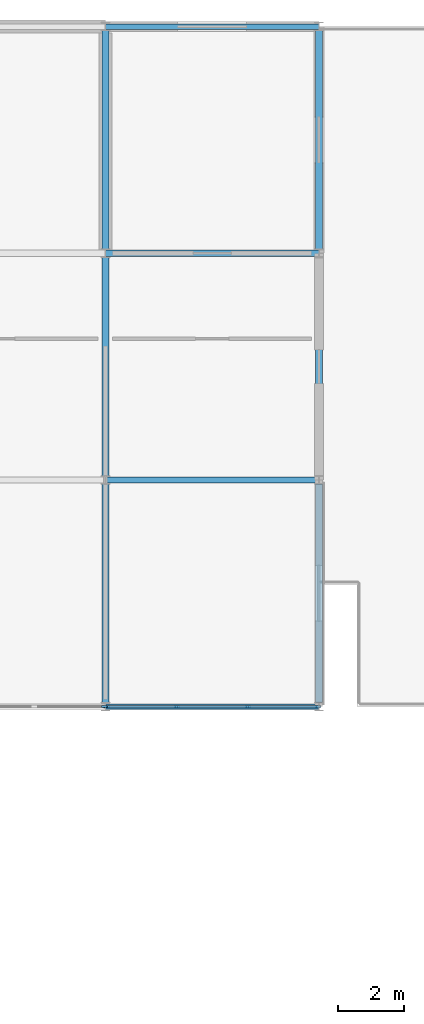
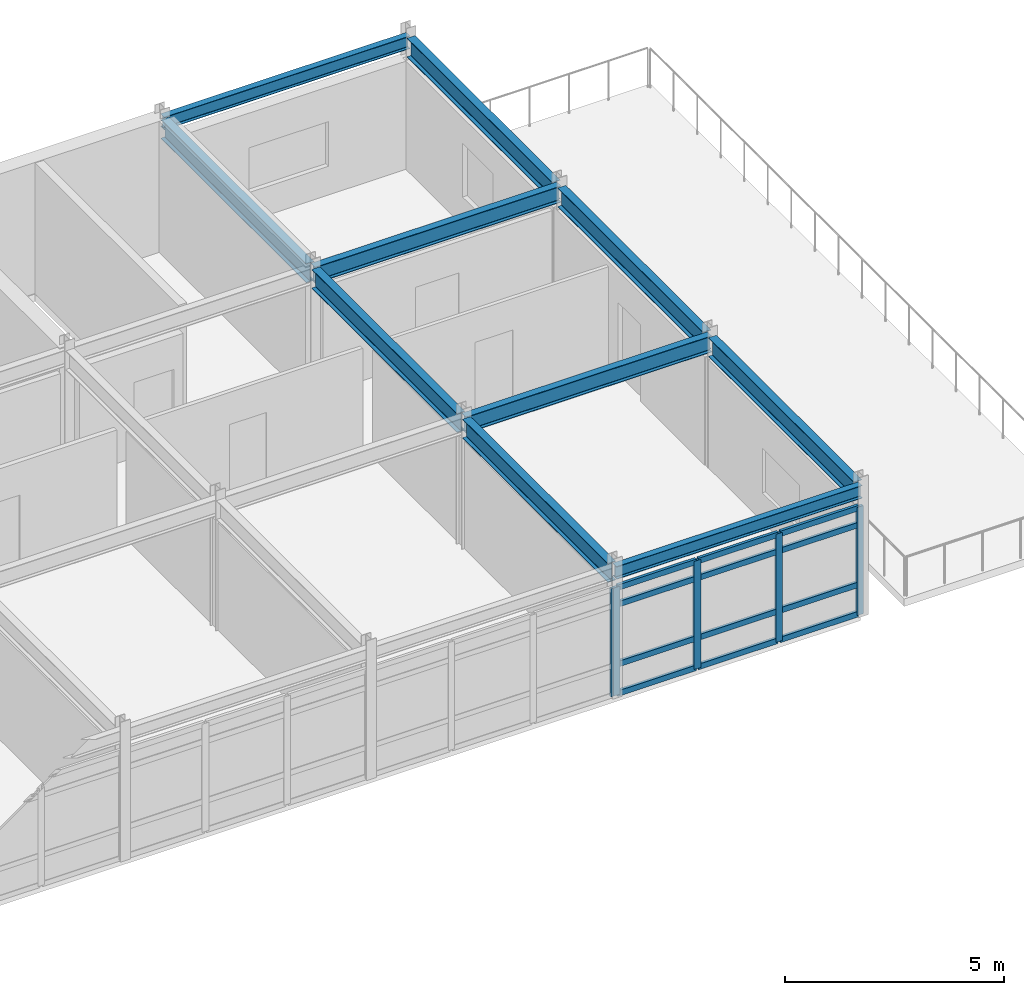
# One storey, part 31 of 57: 17 members, 10 beams, 2 elements without a shape of their own.
"""IFC4 building model written with IfcOpenShell, lengths in metres."""

from ifc_helpers import new_model, si_unit, direction, frame, origin, origin_2d, place, context, subcontext, project, spatial, rectangle, i_section, extrude, material, layer, layer_set, material_profile, profile_set, type_object, element, aggregate, save


model = new_model("IFC4")

# Units and contexts
model_context = context("Model", 3, precision=1e-05, world=origin(), true_north=direction((0.0, 1.0)))
body_context = subcontext(model_context, "Body", "Model", "MODEL_VIEW")
ifc_project = project(units=[si_unit("LENGTHUNIT", "METRE"), si_unit("AREAUNIT", "SQUARE_METRE"), si_unit("VOLUMEUNIT", "CUBIC_METRE"), si_unit("PLANEANGLEUNIT", "RADIAN"), si_unit("MASSUNIT", "GRAM", prefix="KILO")], contexts=[model_context])

# Site, building, storey
site_placement = place(None, origin())
site = spatial("IfcSite", under=ifc_project, at=site_placement, CompositionType="ELEMENT")
building_placement = place(site_placement, origin())
building = spatial("IfcBuilding", under=site, at=building_placement, Name="Trelmorton Wharf Fire Station", CompositionType="ELEMENT")
storey_placement = place(building_placement, frame((0.0, 0.0, 13.5)))
storey = spatial("IfcBuildingStorey", under=building, at=storey_placement, Name="L03", CompositionType="ELEMENT", Elevation=13.5)

# Beams
ifc_material_1 = material(Name="Steel Grade 350", Category="steel")
ifc_material_profile_1 = material_profile(ifc_material_1, i_section(OverallWidth=0.18994140625, OverallDepth=0.45703125, WebThickness=0.009033203125, FlangeThickness=0.014404296875, FilletRadius=0.011474609375, at=origin_2d()), Name="460UB74.6")
ifc_profile_set_1 = profile_set([ifc_material_profile_1], Name="Steel Grade 350")
beam_type_1 = type_object("IfcBeamType", Name="BM_460UB75", PredefinedType="BEAM", material=ifc_profile_set_1)
for number, where, z_axis, x_axis, name in (
    (1, (149.50390625, 67.199951171875, 3.401611328125), (1.0, 0.0, 0.0), (0.0, 1.0, 0.0), "BM-L03-0941"),
    (2, (149.50390625, 74.10009765625, 3.401611328125), (1.0, 0.0, 0.0), (0.0, 1.0, 0.0), "BM-L03-0952"),
):
    element("IfcBeam", number, at=place(storey_placement, frame(where, z_axis=z_axis, x_axis=x_axis)), inside=storey, type_object=beam_type_1, Name=name, PredefinedType="BEAM", context=body_context, shape_type="SweptSolid", body=[
        extrude(i_section(OverallWidth=0.18994140625, OverallDepth=0.45703125, WebThickness=0.009033203125, FlangeThickness=0.014404296875, FilletRadius=0.011474609375, at=origin_2d()), origin(), (0.0, 0.0, 1.0), 6.4921875),
    ])
ifc_material_profile_2 = material_profile(ifc_material_1, i_section(OverallWidth=0.208984375, OverallDepth=0.532958984375, WebThickness=0.01025390625, FlangeThickness=0.015625, FilletRadius=0.013916015625, at=origin_2d()), Name="530UB92.4")
ifc_profile_set_2 = profile_set([ifc_material_profile_2], Name="Steel Grade 350")
beam_type_2 = type_object("IfcBeamType", Name="BM_530UB92", PredefinedType="BEAM", material=ifc_profile_set_2)
beam_1_placement = place(storey_placement, frame((149.5, 60.426025390625, 3.363525390625), z_axis=(0.0, 1.0, 0.0), x_axis=(-1.0, 0.0, 0.0)))
element("IfcBeam", 3, at=beam_1_placement, inside=storey, type_object=beam_type_2, Name="BM-L03-1022", PredefinedType="BEAM", context=body_context, shape_type="SweptSolid", body=[
    extrude(i_section(OverallWidth=0.208984375, OverallDepth=0.532958984375, WebThickness=0.01025390625, FlangeThickness=0.015625, FilletRadius=0.013916015625, at=origin_2d()), origin(), (0.0, 0.0, 1.0), 6.64794921875),
])
beam_2_placement = place(storey_placement, frame((149.5, 67.325927734375, 3.363525390625), z_axis=(0.0, 1.0, 0.0), x_axis=(-1.0, 0.0, 0.0)))
element("IfcBeam", 4, at=beam_2_placement, inside=storey, type_object=beam_type_2, Name="BM-L03-1023", PredefinedType="BEAM", context=body_context, shape_type="SweptSolid", body=[
    extrude(i_section(OverallWidth=0.208984375, OverallDepth=0.532958984375, WebThickness=0.01025390625, FlangeThickness=0.015625, FilletRadius=0.013916015625, at=origin_2d()), origin(), (0.0, 0.0, 1.0), 6.648193359375),
])
for number, where, z_axis, x_axis, name in (
    (5, (149.5, 74.22607421875, 3.363525390625), (0.0, 1.0, 0.0), (-1.0, 0.0, 0.0), "BM-L03-1024"),
    (6, (156.0, 60.426025390625, 3.363525390625), (0.0, 1.0, 0.0), (-1.0, 0.0, 0.0), "BM-L03-1028"),
):
    element("IfcBeam", number, at=place(storey_placement, frame(where, z_axis=z_axis, x_axis=x_axis)), inside=storey, type_object=beam_type_2, Name=name, PredefinedType="BEAM", context=body_context, shape_type="SweptSolid", body=[
        extrude(i_section(OverallWidth=0.208984375, OverallDepth=0.532958984375, WebThickness=0.01025390625, FlangeThickness=0.015625, FilletRadius=0.013916015625, at=origin_2d()), origin(), (0.0, 0.0, 1.0), 6.64794921875),
    ])
beam_3_placement = place(storey_placement, frame((156.0, 67.325927734375, 3.363525390625), z_axis=(0.0, 1.0, 0.0), x_axis=(-1.0, 0.0, 0.0)))
element("IfcBeam", 7, at=beam_3_placement, inside=storey, type_object=beam_type_2, Name="BM-L03-1029", PredefinedType="BEAM", context=body_context, shape_type="SweptSolid", body=[
    extrude(i_section(OverallWidth=0.208984375, OverallDepth=0.532958984375, WebThickness=0.01025390625, FlangeThickness=0.015625, FilletRadius=0.013916015625, at=origin_2d()), origin(), (0.0, 0.0, 1.0), 6.648193359375),
])
beam_4_placement = place(storey_placement, frame((156.0, 74.22607421875, 3.363525390625), z_axis=(0.0, 1.0, 0.0), x_axis=(-1.0, 0.0, 0.0)))
element("IfcBeam", 8, at=beam_4_placement, inside=storey, type_object=beam_type_2, Name="BM-L03-1030", PredefinedType="BEAM", context=body_context, shape_type="SweptSolid", body=[
    extrude(i_section(OverallWidth=0.208984375, OverallDepth=0.532958984375, WebThickness=0.01025390625, FlangeThickness=0.015625, FilletRadius=0.013916015625, at=origin_2d()), origin(), (0.0, 0.0, 1.0), 6.64794921875),
])

# Curtain wall, member
ifc_material_2 = material(Name="Anodised aluminium AW-6063", Category="aluminium")
ifc_layer = layer(ifc_material_2, 0.175048828125)
ifc_layer_set = layer_set([ifc_layer], Name="Anodised aluminium AW-6063")
curtain_wall_type = type_object("IfcCurtainWallType", Name="CW_CHIC_B", PredefinedType="USERDEFINED", material=ifc_layer_set)
curtain_wall_1_placement = place(storey_placement, origin())
curtain_wall_1 = element("IfcCurtainWall", 9, at=curtain_wall_1_placement, inside=storey, type_object=curtain_wall_type, Name="CW-V4-L03-149", ObjectType="CHICAGO BAY CURTAIN WALL", PredefinedType="USERDEFINED")
ifc_material_profile_3 = material_profile(ifc_material_2, rectangle(XDim=0.06494140625, YDim=0.159912109375, at=origin_2d()), Name="ALU-65x160")
ifc_profile_set_3 = profile_set([ifc_material_profile_3], Name="Anodised aluminium AW-6063")
member_type_1 = type_object("IfcMemberType", Name="CWM_65x160", PredefinedType="MULLION", material=ifc_profile_set_3)
member_1_placement = place(storey_placement, frame((149.465087890625, 60.300048828125, 0.0), z_axis=(0.0, 0.0, 1.0), x_axis=(0.0, -1.0, 0.0)))
member_1 = element("IfcMember", 10, at=member_1_placement, type_object=member_type_1, Name="CW2 mullion 1", PredefinedType="MULLION", context=body_context, shape_type="SweptSolid", body=[
    extrude(rectangle(XDim=0.06494140625, YDim=0.159912109375, at=origin_2d()), origin(), (0.0, 0.0, 1.0), 3.02001953125),
])
aggregate(curtain_wall_1, [member_1])

# Curtain wall, members
curtain_wall_2_placement = place(storey_placement, origin())
curtain_wall_2 = element("IfcCurtainWall", 11, at=curtain_wall_2_placement, inside=storey, type_object=curtain_wall_type, Name="CW-V4-L03-150", ObjectType="CHICAGO BAY CURTAIN WALL", PredefinedType="USERDEFINED")
ifc_material_profile_4 = material_profile(ifc_material_2, rectangle(XDim=0.074951171875, YDim=0.175048828125, at=origin_2d()), Name="ALU-75x175")
ifc_profile_set_4 = profile_set([ifc_material_profile_4], Name="Anodised aluminium AW-6063")
member_type_2 = type_object("IfcMemberType", Name="CWM_75x175", PredefinedType="MULLION", material=ifc_profile_set_4)
member_2_placement = place(storey_placement, frame((155.965087890625, 60.300048828125, 0.0), z_axis=(0.0, 0.0, 1.0), x_axis=(0.0, -1.0, 0.0)))
member_2 = element("IfcMember", 12, at=member_2_placement, type_object=member_type_2, Name="CW2 mullion 1", PredefinedType="MULLION", context=body_context, shape_type="SweptSolid", body=[
    extrude(rectangle(XDim=0.074951171875, YDim=0.175048828125, at=origin_2d()), origin(), (0.0, 0.0, 1.0), 3.02001953125),
])
member_3_placement = place(storey_placement, frame((153.831787109375, 60.300048828125, 0.0), z_axis=(0.0, 0.0, 1.0), x_axis=(0.0, -1.0, 0.0)))
member_3 = element("IfcMember", 13, at=member_3_placement, type_object=member_type_2, Name="CW2 mullion 2", PredefinedType="MULLION", context=body_context, shape_type="SweptSolid", body=[
    extrude(rectangle(XDim=0.074951171875, YDim=0.175048828125, at=origin_2d()), origin(), (0.0, 0.0, 1.0), 3.02001953125),
])
member_4_placement = place(storey_placement, frame((151.668212890625, 60.300048828125, 0.0), z_axis=(0.0, 0.0, 1.0), x_axis=(0.0, -1.0, 0.0)))
member_4 = element("IfcMember", 14, at=member_4_placement, type_object=member_type_2, Name="CW2 mullion 3", PredefinedType="MULLION", context=body_context, shape_type="SweptSolid", body=[
    extrude(rectangle(XDim=0.074951171875, YDim=0.175048828125, at=origin_2d()), origin(), (0.0, 0.0, 1.0), 3.02001953125),
])
member_5_placement = place(storey_placement, frame((149.534912109375, 60.300048828125, 0.0), z_axis=(0.0, 0.0, 1.0), x_axis=(0.0, -1.0, 0.0)))
member_5 = element("IfcMember", 15, at=member_5_placement, type_object=member_type_2, Name="CW2 mullion 4", PredefinedType="MULLION", context=body_context, shape_type="SweptSolid", body=[
    extrude(rectangle(XDim=0.074951171875, YDim=0.175048828125, at=origin_2d()), origin(), (0.0, 0.0, 1.0), 3.02001953125),
])
ifc_material_profile_5 = material_profile(ifc_material_2, rectangle(XDim=0.074951171875, YDim=0.155029296875, at=origin_2d()), Name="ALU-75x155")
ifc_profile_set_5 = profile_set([ifc_material_profile_5], Name="Anodised aluminium AW-6063")
member_type_3 = type_object("IfcMemberType", Name="CWT_75x155", PredefinedType="USERDEFINED", material=ifc_profile_set_5)
member_6_placement = place(storey_placement, frame((155.93505859375, 60.300048828125, 0.030029296875), z_axis=(-1.0, 0.0, 0.0), x_axis=(0.0, -1.0, 0.0)))
member_6 = element("IfcMember", 16, at=member_6_placement, type_object=member_type_3, Name="CW2 transom 1.1", ObjectType="TRANSOM", PredefinedType="USERDEFINED", context=body_context, shape_type="SweptSolid", body=[
    extrude(rectangle(XDim=0.074951171875, YDim=0.155029296875, at=origin_2d()), origin(), (0.0, 0.0, 1.0), 2.073486328125),
])
member_7_placement = place(storey_placement, frame((155.93505859375, 60.300048828125, 0.85009765625), z_axis=(-1.0, 0.0, 0.0), x_axis=(0.0, -1.0, 0.0)))
member_7 = element("IfcMember", 17, at=member_7_placement, type_object=member_type_3, Name="CW2 transom 1.2", ObjectType="TRANSOM", PredefinedType="USERDEFINED", context=body_context, shape_type="SweptSolid", body=[
    extrude(rectangle(XDim=0.074951171875, YDim=0.155029296875, at=origin_2d()), origin(), (0.0, 0.0, 1.0), 2.073486328125),
])
member_8_placement = place(storey_placement, frame((155.93505859375, 60.300048828125, 2.52001953125), z_axis=(-1.0, 0.0, 0.0), x_axis=(0.0, -1.0, 0.0)))
member_8 = element("IfcMember", 18, at=member_8_placement, type_object=member_type_3, Name="CW2 transom 1.3", ObjectType="TRANSOM", PredefinedType="USERDEFINED", context=body_context, shape_type="SweptSolid", body=[
    extrude(rectangle(XDim=0.074951171875, YDim=0.155029296875, at=origin_2d()), origin(), (0.0, 0.0, 1.0), 2.073486328125),
])
member_9_placement = place(storey_placement, frame((155.93505859375, 60.300048828125, 2.989990234375), z_axis=(-1.0, 0.0, 0.0), x_axis=(0.0, -1.0, 0.0)))
member_9 = element("IfcMember", 19, at=member_9_placement, type_object=member_type_3, Name="CW2 transom 1.4", ObjectType="TRANSOM", PredefinedType="USERDEFINED", context=body_context, shape_type="SweptSolid", body=[
    extrude(rectangle(XDim=0.074951171875, YDim=0.155029296875, at=origin_2d()), origin(), (0.0, 0.0, 1.0), 2.073486328125),
])
member_10_placement = place(storey_placement, frame((153.8017578125, 60.300048828125, 0.030029296875), z_axis=(-1.0, 0.0, 0.0), x_axis=(0.0, -1.0, 0.0)))
member_10 = element("IfcMember", 20, at=member_10_placement, type_object=member_type_3, Name="CW2 transom 2.1", ObjectType="TRANSOM", PredefinedType="USERDEFINED", context=body_context, shape_type="SweptSolid", body=[
    extrude(rectangle(XDim=0.074951171875, YDim=0.155029296875, at=origin_2d()), origin(), (0.0, 0.0, 1.0), 2.103515625),
])
member_11_placement = place(storey_placement, frame((153.8017578125, 60.300048828125, 0.85009765625), z_axis=(-1.0, 0.0, 0.0), x_axis=(0.0, -1.0, 0.0)))
member_11 = element("IfcMember", 21, at=member_11_placement, type_object=member_type_3, Name="CW2 transom 2.2", ObjectType="TRANSOM", PredefinedType="USERDEFINED", context=body_context, shape_type="SweptSolid", body=[
    extrude(rectangle(XDim=0.074951171875, YDim=0.155029296875, at=origin_2d()), origin(), (0.0, 0.0, 1.0), 2.103515625),
])
member_12_placement = place(storey_placement, frame((153.8017578125, 60.300048828125, 2.52001953125), z_axis=(-1.0, 0.0, 0.0), x_axis=(0.0, -1.0, 0.0)))
member_12 = element("IfcMember", 22, at=member_12_placement, type_object=member_type_3, Name="CW2 transom 2.3", ObjectType="TRANSOM", PredefinedType="USERDEFINED", context=body_context, shape_type="SweptSolid", body=[
    extrude(rectangle(XDim=0.074951171875, YDim=0.155029296875, at=origin_2d()), origin(), (0.0, 0.0, 1.0), 2.103515625),
])
member_13_placement = place(storey_placement, frame((153.8017578125, 60.300048828125, 2.989990234375), z_axis=(-1.0, 0.0, 0.0), x_axis=(0.0, -1.0, 0.0)))
member_13 = element("IfcMember", 23, at=member_13_placement, type_object=member_type_3, Name="CW2 transom 2.4", ObjectType="TRANSOM", PredefinedType="USERDEFINED", context=body_context, shape_type="SweptSolid", body=[
    extrude(rectangle(XDim=0.074951171875, YDim=0.155029296875, at=origin_2d()), origin(), (0.0, 0.0, 1.0), 2.103515625),
])
member_14_placement = place(storey_placement, frame((151.638427734375, 60.300048828125, 0.030029296875), z_axis=(-1.0, 0.0, 0.0), x_axis=(0.0, -1.0, 0.0)))
member_14 = element("IfcMember", 24, at=member_14_placement, type_object=member_type_3, Name="CW2 transom 3.1", ObjectType="TRANSOM", PredefinedType="USERDEFINED", context=body_context, shape_type="SweptSolid", body=[
    extrude(rectangle(XDim=0.074951171875, YDim=0.155029296875, at=origin_2d()), origin(), (0.0, 0.0, 1.0), 2.073486328125),
])
member_15_placement = place(storey_placement, frame((151.638427734375, 60.300048828125, 0.85009765625), z_axis=(-1.0, 0.0, 0.0), x_axis=(0.0, -1.0, 0.0)))
member_15 = element("IfcMember", 25, at=member_15_placement, type_object=member_type_3, Name="CW2 transom 3.2", ObjectType="TRANSOM", PredefinedType="USERDEFINED", context=body_context, shape_type="SweptSolid", body=[
    extrude(rectangle(XDim=0.074951171875, YDim=0.155029296875, at=origin_2d()), origin(), (0.0, 0.0, 1.0), 2.073486328125),
])
member_16_placement = place(storey_placement, frame((151.638427734375, 60.300048828125, 2.52001953125), z_axis=(-1.0, 0.0, 0.0), x_axis=(0.0, -1.0, 0.0)))
member_16 = element("IfcMember", 26, at=member_16_placement, type_object=member_type_3, Name="CW2 transom 3.3", ObjectType="TRANSOM", PredefinedType="USERDEFINED", context=body_context, shape_type="SweptSolid", body=[
    extrude(rectangle(XDim=0.074951171875, YDim=0.155029296875, at=origin_2d()), origin(), (0.0, 0.0, 1.0), 2.073486328125),
])
member_17_placement = place(storey_placement, frame((151.638427734375, 60.300048828125, 2.989990234375), z_axis=(-1.0, 0.0, 0.0), x_axis=(0.0, -1.0, 0.0)))
member_17 = element("IfcMember", 27, at=member_17_placement, type_object=member_type_3, Name="CW2 transom 3.4", ObjectType="TRANSOM", PredefinedType="USERDEFINED", context=body_context, shape_type="SweptSolid", body=[
    extrude(rectangle(XDim=0.074951171875, YDim=0.155029296875, at=origin_2d()), origin(), (0.0, 0.0, 1.0), 2.073486328125),
])
aggregate(curtain_wall_2, [member_2, member_3, member_4, member_5, member_6, member_7, member_8, member_9, member_10, member_11, member_12, member_13, member_14, member_15, member_16, member_17])

# Beams
ifc_material_profile_6 = material_profile(ifc_material_1, i_section(OverallWidth=0.1708984375, OverallDepth=0.35595703125, WebThickness=0.00732421875, FlangeThickness=0.011474609375, FilletRadius=0.011474609375, at=origin_2d()), Name="360UB50.7")
ifc_profile_set_6 = profile_set([ifc_material_profile_6], Name="Steel Grade 350")
beam_type_3 = type_object("IfcBeamType", Name="SP_360UB51", PredefinedType="SPANDREL", material=ifc_profile_set_6)
for number, where, z_axis, x_axis, name in (
    (28, (149.50390625, 60.300048828125, 3.451904296875), (1.0, 0.0, 0.0), (0.0, 1.0, 0.0), "BM-L03-0930"),
    (29, (149.50390625, 81.0, 3.451904296875), (1.0, 0.0, 0.0), (0.0, 1.0, 0.0), "BM-L03-0963"),
):
    element("IfcBeam", number, at=place(storey_placement, frame(where, z_axis=z_axis, x_axis=x_axis)), inside=storey, type_object=beam_type_3, Name=name, PredefinedType="SPANDREL", context=body_context, shape_type="SweptSolid", body=[
        extrude(i_section(OverallWidth=0.1708984375, OverallDepth=0.35595703125, WebThickness=0.00732421875, FlangeThickness=0.011474609375, FilletRadius=0.011474609375, at=origin_2d()), origin(), (0.0, 0.0, 1.0), 6.4921875),
    ])

save(model, "model.ifc")
